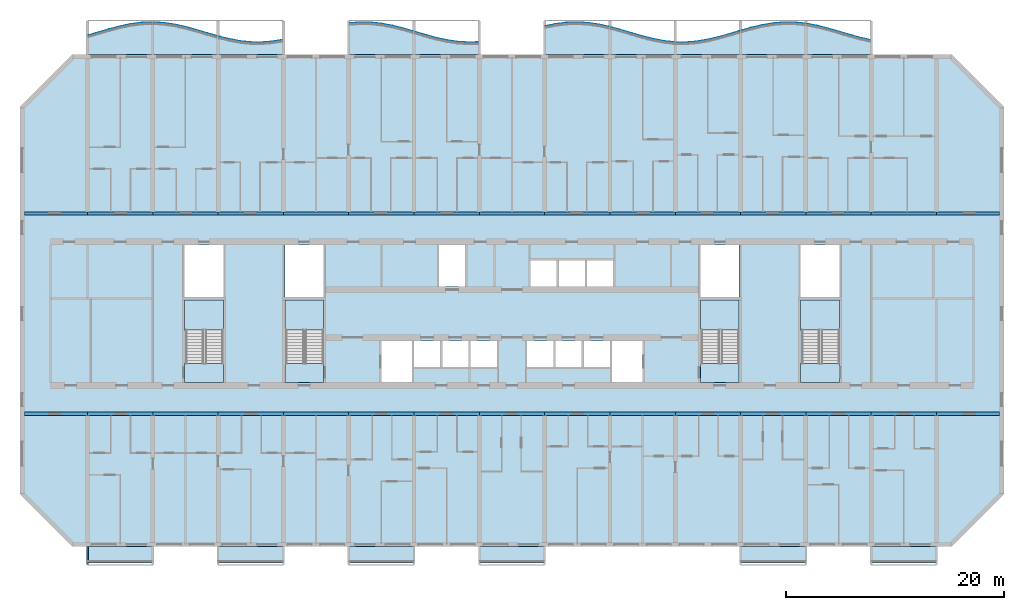
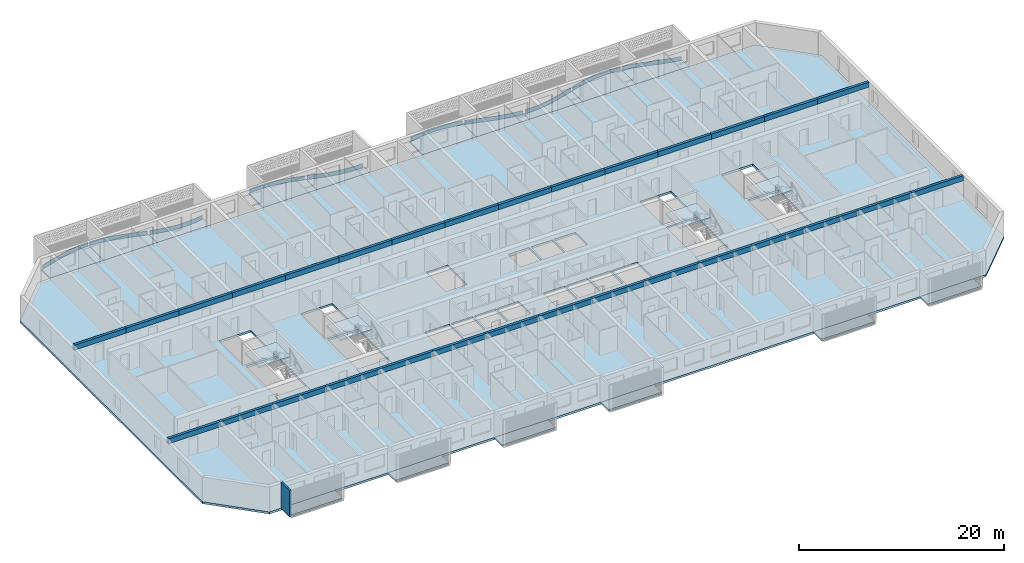
# One storey, part 1 of 39: 30 beams, 25 slabs, 10 plates, 1 wall, 4 elements without a shape of their own.
"""IFC4 building model written with IfcOpenShell, lengths in metres."""

from ifc_helpers import new_model, si_unit, direction, frame, origin, origin_2d, place, context, subcontext, project, spatial, polyline, rectangle, outline, extrude, source, transform, mapped, material, layer, layer_set, material_profile, profile_set, type_object, element, aggregate, save


model = new_model("IFC4")

# Units and contexts
model_context = context("Model", 3, precision=1e-05, world=origin(), true_north=direction((0.0, 1.0)))
body_context = subcontext(model_context, "Body", "Model", "MODEL_VIEW")
ifc_project = project(units=[si_unit("LENGTHUNIT", "METRE"), si_unit("AREAUNIT", "SQUARE_METRE"), si_unit("VOLUMEUNIT", "CUBIC_METRE"), si_unit("PLANEANGLEUNIT", "RADIAN"), si_unit("MASSUNIT", "GRAM", prefix="KILO")], contexts=[model_context])

# Site, building, storey
site_placement = place(None, origin())
site = spatial("IfcSite", under=ifc_project, at=site_placement, CompositionType="ELEMENT")
building_placement = place(site_placement, origin())
building = spatial("IfcBuilding", under=site, at=building_placement, Name="Poui Terraces", CompositionType="ELEMENT")
storey_placement = place(building_placement, frame((0.0, 0.0, 63.0)))
storey = spatial("IfcBuildingStorey", under=building, at=storey_placement, Name="L17", CompositionType="ELEMENT", Elevation=63.0)

# Beams
ifc_material_1 = material(Name="Concrete 80 MPa", Category="concrete")
ifc_material_profile = material_profile(ifc_material_1, rectangle(XDim=0.300048828125, YDim=0.60009765625, at=origin_2d()), Name="RC 300x600")
ifc_profile_set = profile_set([ifc_material_profile], Name="Concrete 80 MPa")
beam_type = type_object("IfcBeamType", Name="COUPLING BEAM 300x600 80MPa", PredefinedType="BEAM", material=ifc_profile_set)
shared_shape_1 = source(origin(), body_context, "Body", "SweptSolid", [
    extrude(rectangle(XDim=0.300048828125, YDim=0.60009765625, at=origin_2d()), origin(), (0.0, 0.0, 1.0), 6.0),
])
for number, where, z_axis, x_axis, name in (
    (1, (12.0, 12.0, 2.64990234375), (1.0, 0.0, 0.0), (0.0, 1.0, 0.0), "COUPLING BEAM LINE B BAY 2"),
    (2, (18.0, 12.0, 2.64990234375), (1.0, 0.0, 0.0), (0.0, 1.0, 0.0), "COUPLING BEAM LINE B BAY 3"),
    (3, (24.0, 12.0, 2.64990234375), (1.0, 0.0, 0.0), (0.0, 1.0, 0.0), "COUPLING BEAM LINE B BAY 4"),
    (4, (30.0, 12.0, 2.64990234375), (1.0, 0.0, 0.0), (0.0, 1.0, 0.0), "COUPLING BEAM LINE B BAY 5"),
    (5, (36.0, 12.0, 2.64990234375), (1.0, 0.0, 0.0), (0.0, 1.0, 0.0), "COUPLING BEAM LINE B BAY 6"),
    (6, (42.0, 12.0, 2.64990234375), (1.0, 0.0, 0.0), (0.0, 1.0, 0.0), "COUPLING BEAM LINE B BAY 7"),
    (7, (48.0, 12.0, 2.64990234375), (1.0, 0.0, 0.0), (0.0, 1.0, 0.0), "COUPLING BEAM LINE B BAY 8"),
    (8, (54.0, 12.0, 2.64990234375), (1.0, 0.0, 0.0), (0.0, 1.0, 0.0), "COUPLING BEAM LINE B BAY 9"),
    (9, (60.0, 12.0, 2.64990234375), (1.0, 0.0, 0.0), (0.0, 1.0, 0.0), "COUPLING BEAM LINE B BAY 10"),
    (10, (66.0, 12.0, 2.64990234375), (1.0, 0.0, 0.0), (0.0, 1.0, 0.0), "COUPLING BEAM LINE B BAY 11"),
    (11, (72.0, 12.0, 2.64990234375), (1.0, 0.0, 0.0), (0.0, 1.0, 0.0), "COUPLING BEAM LINE B BAY 12"),
    (12, (78.0, 12.0, 2.64990234375), (1.0, 0.0, 0.0), (0.0, 1.0, 0.0), "COUPLING BEAM LINE B BAY 13"),
    (13, (84.0, 12.0, 2.64990234375), (1.0, 0.0, 0.0), (0.0, 1.0, 0.0), "COUPLING BEAM LINE B BAY 14"),
    (14, (12.0, 30.39990234375, 2.64990234375), (1.0, 0.0, 0.0), (0.0, 1.0, 0.0), "COUPLING BEAM LINE E BAY 2"),
    (15, (18.0, 30.39990234375, 2.64990234375), (1.0, 0.0, 0.0), (0.0, 1.0, 0.0), "COUPLING BEAM LINE E BAY 3"),
    (16, (24.0, 30.39990234375, 2.64990234375), (1.0, 0.0, 0.0), (0.0, 1.0, 0.0), "COUPLING BEAM LINE E BAY 4"),
    (17, (30.0, 30.39990234375, 2.64990234375), (1.0, 0.0, 0.0), (0.0, 1.0, 0.0), "COUPLING BEAM LINE E BAY 5"),
    (18, (36.0, 30.39990234375, 2.64990234375), (1.0, 0.0, 0.0), (0.0, 1.0, 0.0), "COUPLING BEAM LINE E BAY 6"),
    (19, (42.0, 30.39990234375, 2.64990234375), (1.0, 0.0, 0.0), (0.0, 1.0, 0.0), "COUPLING BEAM LINE E BAY 7"),
    (20, (48.0, 30.39990234375, 2.64990234375), (1.0, 0.0, 0.0), (0.0, 1.0, 0.0), "COUPLING BEAM LINE E BAY 8"),
    (21, (54.0, 30.39990234375, 2.64990234375), (1.0, 0.0, 0.0), (0.0, 1.0, 0.0), "COUPLING BEAM LINE E BAY 9"),
    (22, (60.0, 30.39990234375, 2.64990234375), (1.0, 0.0, 0.0), (0.0, 1.0, 0.0), "COUPLING BEAM LINE E BAY 10"),
    (23, (66.0, 30.39990234375, 2.64990234375), (1.0, 0.0, 0.0), (0.0, 1.0, 0.0), "COUPLING BEAM LINE E BAY 11"),
    (24, (72.0, 30.39990234375, 2.64990234375), (1.0, 0.0, 0.0), (0.0, 1.0, 0.0), "COUPLING BEAM LINE E BAY 12"),
    (25, (78.0, 30.39990234375, 2.64990234375), (1.0, 0.0, 0.0), (0.0, 1.0, 0.0), "COUPLING BEAM LINE E BAY 13"),
    (26, (84.0, 30.39990234375, 2.64990234375), (1.0, 0.0, 0.0), (0.0, 1.0, 0.0), "COUPLING BEAM LINE E BAY 14"),
):
    element("IfcBeam", number, at=place(storey_placement, frame(where, z_axis=z_axis, x_axis=x_axis)), inside=storey, type_object=beam_type, Name=name, PredefinedType="BEAM", context=body_context, shape_type="MappedRepresentation", body=[
        mapped(shared_shape_1, transform((0.0, 0.0, 0.0))),
    ])
shared_shape_2 = source(origin(), body_context, "Body", "SweptSolid", [
    extrude(rectangle(XDim=0.300048828125, YDim=0.60009765625, at=origin_2d()), origin(), (0.0, 0.0, 1.0), 5.800048828125),
])
for number, where, z_axis, x_axis, name in (
    (27, (6.199951171875, 12.0, 2.64990234375), (1.0, 0.0, 0.0), (0.0, 1.0, 0.0), "COUPLING BEAM LINE B BAY 1"),
    (28, (90.0, 12.0, 2.64990234375), (1.0, 0.0, 0.0), (0.0, 1.0, 0.0), "COUPLING BEAM LINE B BAY 15"),
    (29, (6.199951171875, 30.39990234375, 2.64990234375), (1.0, 0.0, 0.0), (0.0, 1.0, 0.0), "COUPLING BEAM LINE E BAY 1"),
    (30, (90.0, 30.39990234375, 2.64990234375), (1.0, 0.0, 0.0), (0.0, 1.0, 0.0), "COUPLING BEAM LINE E BAY 15"),
):
    element("IfcBeam", number, at=place(storey_placement, frame(where, z_axis=z_axis, x_axis=x_axis)), inside=storey, type_object=beam_type, Name=name, PredefinedType="BEAM", context=body_context, shape_type="MappedRepresentation", body=[
        mapped(shared_shape_2, transform((0.0, 0.0, 0.0))),
    ])

# Slabs
ifc_material_2 = material(Name="Precast concrete 40 MPa", Category="concrete")
ifc_layer_1 = layer(ifc_material_2, 0.199951171875)
ifc_layer_set_1 = layer_set([ifc_layer_1], Name="Precast concrete 40 MPa")
slab_type_1 = type_object("IfcSlabType", Name="BALCONY SLAB 200", PredefinedType="FLOOR", material=ifc_layer_set_1)
slab_1_placement = place(storey_placement, frame((0.0, 0.0, -0.2001953125)))
element("IfcSlab", 31, at=slab_1_placement, inside=storey, type_object=slab_type_1, Name="BALCONY SLAB", PredefinedType="FLOOR", context=body_context, shape_type="SweptSolid", body=[
    extrude(outline(polyline([(12.0, 45.0), (18.0, 45.0), (18.0, 47.94921875), (17.0, 47.91357421875), (16.0, 47.786376953125), (15.0, 47.580810546875), (14.0, 47.31787109375), (13.0, 47.02490234375), (12.0, 46.732177734375), (12.0, 45.0)])), origin(), (0.0, 0.0, 1.0), 0.2001953125),
])
slab_2_placement = place(storey_placement, frame((0.0, 0.0, -0.2001953125)))
element("IfcSlab", 32, at=slab_2_placement, inside=storey, type_object=slab_type_1, Name="BALCONY SLAB", PredefinedType="FLOOR", context=body_context, shape_type="SweptSolid", body=[
    extrude(outline(polyline([(18.0, 45.0), (24.0, 45.0), (24.0, 46.662353515625), (23.0, 46.95068359375), (22.0, 47.246337890625), (21.0, 47.519287109375), (20.0, 47.741455078125), (19.0, 47.889892578125), (18.0, 47.94921875), (18.0, 45.0)])), origin(), (0.0, 0.0, 1.0), 0.2001953125),
])
slab_3_placement = place(storey_placement, frame((0.0, 0.0, -0.2001953125)))
element("IfcSlab", 33, at=slab_3_placement, inside=storey, type_object=slab_type_1, Name="BALCONY SLAB", PredefinedType="FLOOR", context=body_context, shape_type="SweptSolid", body=[
    extrude(outline(polyline([(24.0, 45.0), (30.0, 45.0), (30.0, 46.35791015625), (29.0, 46.189208984375), (28.0, 46.106689453125), (27.0, 46.11865234375), (26.0, 46.223876953125), (25.0, 46.41162109375), (24.0, 46.662353515625), (24.0, 45.0)])), origin(), (0.0, 0.0, 1.0), 0.2001953125),
])
slab_4_placement = place(storey_placement, frame((0.0, 0.0, -0.2001953125)))
element("IfcSlab", 34, at=slab_4_placement, inside=storey, type_object=slab_type_1, Name="BALCONY SLAB", PredefinedType="FLOOR", context=body_context, shape_type="SweptSolid", body=[
    extrude(outline(polyline([(36.0, 45.0), (42.0, 45.0), (42.0, 47.099365234375), (41.0, 47.3876953125), (40.0, 47.638427734375), (39.0, 47.826171875), (38.0, 47.931396484375), (37.0, 47.943359375), (36.0, 47.860595703125), (36.0, 45.0)])), origin(), (0.0, 0.0, 1.0), 0.2001953125),
])
slab_5_placement = place(storey_placement, frame((0.0, 0.0, -0.2001953125)))
element("IfcSlab", 35, at=slab_5_placement, inside=storey, type_object=slab_type_1, Name="BALCONY SLAB", PredefinedType="FLOOR", context=body_context, shape_type="SweptSolid", body=[
    extrude(outline(polyline([(42.0, 45.0), (48.0, 45.0), (48.0, 46.136474609375), (47.0, 46.100830078125), (46.0, 46.16015625), (45.0, 46.30859375), (44.0, 46.530517578125), (43.0, 46.8037109375), (42.0, 47.099365234375), (42.0, 45.0)])), origin(), (0.0, 0.0, 1.0), 0.2001953125),
])
slab_6_placement = place(storey_placement, frame((0.0, 0.0, -0.2001953125)))
element("IfcSlab", 36, at=slab_6_placement, inside=storey, type_object=slab_type_1, Name="BALCONY SLAB", PredefinedType="FLOOR", context=body_context, shape_type="SweptSolid", body=[
    extrude(outline(polyline([(54.0, 45.0), (60.0, 45.0), (60.0, 47.519287109375), (59.0, 47.741455078125), (58.0, 47.889892578125), (57.0, 47.94921875), (56.0, 47.91357421875), (55.0, 47.786376953125), (54.0, 47.580810546875), (54.0, 45.0)])), origin(), (0.0, 0.0, 1.0), 0.2001953125),
])
slab_7_placement = place(storey_placement, frame((0.0, 0.0, -0.2001953125)))
element("IfcSlab", 37, at=slab_7_placement, inside=storey, type_object=slab_type_1, Name="BALCONY SLAB", PredefinedType="FLOOR", context=body_context, shape_type="SweptSolid", body=[
    extrude(outline(polyline([(60.0, 45.0), (66.0, 45.0), (66.0, 46.11865234375), (65.0, 46.223876953125), (64.0, 46.41162109375), (63.0, 46.662353515625), (62.0, 46.95068359375), (61.0, 47.246337890625), (60.0, 47.519287109375), (60.0, 45.0)])), origin(), (0.0, 0.0, 1.0), 0.2001953125),
])
slab_8_placement = place(storey_placement, frame((0.0, 0.0, -0.2001953125)))
element("IfcSlab", 38, at=slab_8_placement, inside=storey, type_object=slab_type_1, Name="BALCONY SLAB", PredefinedType="FLOOR", context=body_context, shape_type="SweptSolid", body=[
    extrude(outline(polyline([(66.0, 45.0), (72.0, 45.0), (72.0, 47.17333984375), (71.0, 46.876708984375), (70.0, 46.59521484375), (69.0, 46.35791015625), (68.0, 46.189208984375), (67.0, 46.106689453125), (66.0, 46.11865234375), (66.0, 45.0)])), origin(), (0.0, 0.0, 1.0), 0.2001953125),
])
slab_9_placement = place(storey_placement, frame((0.0, 0.0, -0.2001953125)))
element("IfcSlab", 39, at=slab_9_placement, inside=storey, type_object=slab_type_1, Name="BALCONY SLAB", PredefinedType="FLOOR", context=body_context, shape_type="SweptSolid", body=[
    extrude(outline(polyline([(72.0, 45.0), (78.0, 45.0), (78.0, 47.826171875), (77.0, 47.931396484375), (76.0, 47.943359375), (75.0, 47.860595703125), (74.0, 47.692138671875), (73.0, 47.454833984375), (72.0, 47.17333984375), (72.0, 45.0)])), origin(), (0.0, 0.0, 1.0), 0.2001953125),
])
slab_10_placement = place(storey_placement, frame((0.0, 0.0, -0.2001953125)))
element("IfcSlab", 40, at=slab_10_placement, inside=storey, type_object=slab_type_1, Name="BALCONY SLAB", PredefinedType="FLOOR", context=body_context, shape_type="SweptSolid", body=[
    extrude(outline(polyline([(78.0, 45.0), (84.0, 45.0), (84.0, 46.30859375), (83.0, 46.530517578125), (82.0, 46.8037109375), (81.0, 47.099365234375), (80.0, 47.3876953125), (79.0, 47.638427734375), (78.0, 47.826171875), (78.0, 45.0)])), origin(), (0.0, 0.0, 1.0), 0.2001953125),
])

# Stair, slabs
stair_type = type_object("IfcStairType", Name="EXIT STAIR 1650 80 MPA", PredefinedType="HALF_TURN_STAIR", material=ifc_material_1)
stair_1_placement = place(storey_placement, origin())
stair_1 = element("IfcStair", 41, at=stair_1_placement, inside=storey, type_object=stair_type, Name="L17 CORE STAIR EAST", PredefinedType="HALF_TURN_STAIR")
ifc_layer_2 = layer(ifc_material_1, 0.199951171875)
ifc_layer_set_2 = layer_set([ifc_layer_2], Name="Concrete 80 MPa")
slab_type_2 = type_object("IfcSlabType", Name="STAIR LANDING 200 80 MPA", PredefinedType="LANDING", material=ifc_layer_set_2)
slab_11_placement = place(storey_placement, frame((0.0, 0.0, 1.449951171875)))
slab_11 = element("IfcSlab", 42, at=slab_11_placement, type_object=slab_type_2, Name="ST-CE landing 1", PredefinedType="LANDING", context=body_context, shape_type="SweptSolid", body=[
    extrude(outline(polyline([(68.324951171875, 19.679931640625), (71.875, 19.679931640625), (71.875, 22.47509765625), (68.324951171875, 22.47509765625), (68.324951171875, 19.679931640625)])), origin(), (0.0, 0.0, 1.0), 0.199951171875),
])
slab_12_placement = place(storey_placement, frame((0.0, 0.0, -0.2001953125)))
slab_12 = element("IfcSlab", 43, at=slab_12_placement, type_object=slab_type_2, Name="ST-CE landing 2", PredefinedType="LANDING", context=body_context, shape_type="SweptSolid", body=[
    extrude(outline(polyline([(68.324951171875, 14.89990234375), (71.875, 14.89990234375), (71.875, 16.60009765625), (68.324951171875, 16.60009765625), (68.324951171875, 14.89990234375)])), origin(), (0.0, 0.0, 1.0), 0.2001953125),
])
aggregate(stair_1, [slab_11, slab_12])

stair_2_placement = place(storey_placement, origin())
stair_2 = element("IfcStair", 44, at=stair_2_placement, inside=storey, type_object=stair_type, Name="L17 CORE STAIR WEST", PredefinedType="HALF_TURN_STAIR")
slab_13_placement = place(storey_placement, frame((0.0, 0.0, 1.449951171875)))
slab_13 = element("IfcSlab", 45, at=slab_13_placement, type_object=slab_type_2, Name="ST-CW landing 1", PredefinedType="LANDING", context=body_context, shape_type="SweptSolid", body=[
    extrude(outline(polyline([(30.125, 19.679931640625), (33.675048828125, 19.679931640625), (33.675048828125, 22.47509765625), (30.125, 22.47509765625), (30.125, 19.679931640625)])), origin(), (0.0, 0.0, 1.0), 0.199951171875),
])
slab_14_placement = place(storey_placement, frame((0.0, 0.0, -0.2001953125)))
slab_14 = element("IfcSlab", 46, at=slab_14_placement, type_object=slab_type_2, Name="ST-CW landing 2", PredefinedType="LANDING", context=body_context, shape_type="SweptSolid", body=[
    extrude(outline(polyline([(30.125, 14.89990234375), (33.675048828125, 14.89990234375), (33.675048828125, 16.60009765625), (30.125, 16.60009765625), (30.125, 14.89990234375)])), origin(), (0.0, 0.0, 1.0), 0.2001953125),
])
aggregate(stair_2, [slab_13, slab_14])

stair_3_placement = place(storey_placement, origin())
stair_3 = element("IfcStair", 47, at=stair_3_placement, inside=storey, type_object=stair_type, Name="L17 TIP STAIR EAST", PredefinedType="HALF_TURN_STAIR")
slab_15_placement = place(storey_placement, frame((0.0, 0.0, 1.449951171875)))
slab_15 = element("IfcSlab", 48, at=slab_15_placement, type_object=slab_type_2, Name="ST-E landing 1", PredefinedType="LANDING", context=body_context, shape_type="SweptSolid", body=[
    extrude(outline(polyline([(77.52490234375, 19.679931640625), (81.074951171875, 19.679931640625), (81.074951171875, 22.47509765625), (77.52490234375, 22.47509765625), (77.52490234375, 19.679931640625)])), origin(), (0.0, 0.0, 1.0), 0.199951171875),
])
slab_16_placement = place(storey_placement, frame((0.0, 0.0, -0.2001953125)))
slab_16 = element("IfcSlab", 49, at=slab_16_placement, type_object=slab_type_2, Name="ST-E landing 2", PredefinedType="LANDING", context=body_context, shape_type="SweptSolid", body=[
    extrude(outline(polyline([(77.52490234375, 14.89990234375), (81.074951171875, 14.89990234375), (81.074951171875, 16.60009765625), (77.52490234375, 16.60009765625), (77.52490234375, 14.89990234375)])), origin(), (0.0, 0.0, 1.0), 0.2001953125),
])
aggregate(stair_3, [slab_15, slab_16])

stair_4_placement = place(storey_placement, origin())
stair_4 = element("IfcStair", 50, at=stair_4_placement, inside=storey, type_object=stair_type, Name="L17 TIP STAIR WEST", PredefinedType="HALF_TURN_STAIR")
slab_17_placement = place(storey_placement, frame((0.0, 0.0, 1.449951171875)))
slab_17 = element("IfcSlab", 51, at=slab_17_placement, type_object=slab_type_2, Name="ST-W landing 1", PredefinedType="LANDING", context=body_context, shape_type="SweptSolid", body=[
    extrude(outline(polyline([(20.925048828125, 19.679931640625), (24.47509765625, 19.679931640625), (24.47509765625, 22.47509765625), (20.925048828125, 22.47509765625), (20.925048828125, 19.679931640625)])), origin(), (0.0, 0.0, 1.0), 0.199951171875),
])
slab_18_placement = place(storey_placement, frame((0.0, 0.0, -0.2001953125)))
slab_18 = element("IfcSlab", 52, at=slab_18_placement, type_object=slab_type_2, Name="ST-W landing 2", PredefinedType="LANDING", context=body_context, shape_type="SweptSolid", body=[
    extrude(outline(polyline([(20.925048828125, 14.89990234375), (24.47509765625, 14.89990234375), (24.47509765625, 16.60009765625), (20.925048828125, 16.60009765625), (20.925048828125, 14.89990234375)])), origin(), (0.0, 0.0, 1.0), 0.2001953125),
])
aggregate(stair_4, [slab_17, slab_18])

# Plates
ifc_layer_3 = layer(ifc_material_2, 0.080078125)
ifc_layer_set_3 = layer_set([ifc_layer_3], Name="Precast concrete 40 MPa")
plate_type = type_object("IfcPlateType", Name="SUNSHADE UPSTAND 80", PredefinedType="SHEET", material=ifc_layer_set_3)
plate_1_placement = place(storey_placement, origin())
element("IfcPlate", 53, at=plate_1_placement, inside=storey, type_object=plate_type, Name="SUNSHADE UPSTAND", PredefinedType="SHEET", context=body_context, shape_type="SweptSolid", body=[
    extrude(outline(polyline([(12.98876953125, 47.018310546875), (12.11376953125, 46.760986328125), (12.13623046875, 46.684326171875), (13.01123046875, 46.941650390625), (14.0107421875, 47.234375), (15.009033203125, 47.49658203125), (16.006591796875, 47.701904296875), (17.00341796875, 47.82861328125), (17.876708984375, 47.864990234375), (17.873291015625, 47.944580078125), (17.83203125, 47.943115234375), (16.99658203125, 47.908447265625), (15.993408203125, 47.78076171875), (14.990966796875, 47.57470703125), (13.9892578125, 47.3115234375), (12.98876953125, 47.018310546875)])), origin(), (0.0, 0.0, 1.0), 0.449951171875),
])
plate_2_placement = place(storey_placement, origin())
element("IfcPlate", 54, at=plate_2_placement, inside=storey, type_object=plate_type, Name="SUNSHADE UPSTAND", PredefinedType="SHEET", context=body_context, shape_type="SweptSolid", body=[
    extrude(outline(polyline([(19.004150390625, 47.884765625), (18.168212890625, 47.939208984375), (18.127685546875, 47.941650390625), (18.122314453125, 47.862060546875), (18.995849609375, 47.80517578125), (19.99267578125, 47.6572265625), (20.990478515625, 47.435546875), (21.989013671875, 47.162841796875), (22.98876953125, 46.8671875), (23.864013671875, 46.613525390625), (23.885986328125, 46.6904296875), (23.01123046875, 46.944091796875), (22.010986328125, 47.23974609375), (21.009521484375, 47.51318359375), (20.00732421875, 47.73583984375), (19.004150390625, 47.884765625)])), origin(), (0.0, 0.0, 1.0), 0.449951171875),
])
plate_3_placement = place(storey_placement, origin())
element("IfcPlate", 55, at=plate_3_placement, inside=storey, type_object=plate_type, Name="SUNSHADE UPSTAND", PredefinedType="SHEET", context=body_context, shape_type="SweptSolid", body=[
    extrude(outline(polyline([(25.008544921875, 46.40576171875), (24.134521484375, 46.622314453125), (24.115478515625, 46.544677734375), (24.991455078125, 46.327392578125), (25.994140625, 46.139404296875), (26.997802734375, 46.03369140625), (28.00146484375, 46.021728515625), (29.0048828125, 46.1044921875), (29.881591796875, 46.248291015625), (29.868408203125, 46.3271484375), (28.9951171875, 46.18408203125), (27.99853515625, 46.101806640625), (27.002197265625, 46.11376953125), (26.005859375, 46.218505859375), (25.008544921875, 46.40576171875)])), origin(), (0.0, 0.0, 1.0), 0.449951171875),
])
plate_4_placement = place(storey_placement, origin())
element("IfcPlate", 56, at=plate_4_placement, inside=storey, type_object=plate_type, Name="SUNSHADE UPSTAND", PredefinedType="SHEET", context=body_context, shape_type="SweptSolid", body=[
    extrude(outline(polyline([(36.998779296875, 47.938232421875), (36.140380859375, 47.872314453125), (36.121826171875, 47.870849609375), (36.128173828125, 47.791015625), (37.001220703125, 47.858154296875), (37.997802734375, 47.84619140625), (38.994140625, 47.741455078125), (39.991455078125, 47.55419921875), (40.989501953125, 47.303955078125), (41.864013671875, 47.052978515625), (41.885986328125, 47.1298828125), (41.010498046875, 47.381103515625), (40.008544921875, 47.632568359375), (39.005859375, 47.82080078125), (38.002197265625, 47.92626953125), (36.998779296875, 47.938232421875)])), origin(), (0.0, 0.0, 1.0), 0.449951171875),
])
plate_5_placement = place(storey_placement, origin())
element("IfcPlate", 57, at=plate_5_placement, inside=storey, type_object=plate_type, Name="SUNSHADE UPSTAND", PredefinedType="SHEET", context=body_context, shape_type="SweptSolid", body=[
    extrude(outline(polyline([(43.010986328125, 46.797119140625), (42.13623046875, 47.0556640625), (42.11376953125, 46.97900390625), (42.989013671875, 46.72021484375), (43.990478515625, 46.44677734375), (44.99267578125, 46.22412109375), (45.995849609375, 46.0751953125), (46.99951171875, 46.015625), (47.876220703125, 46.0419921875), (47.873779296875, 46.121826171875), (47.00048828125, 46.095703125), (46.004150390625, 46.15478515625), (45.00732421875, 46.302734375), (44.009521484375, 46.5244140625), (43.010986328125, 46.797119140625)])), origin(), (0.0, 0.0, 1.0), 0.449951171875),
])
plate_6_placement = place(storey_placement, origin())
element("IfcPlate", 58, at=plate_6_placement, inside=storey, type_object=plate_type, Name="SUNSHADE UPSTAND", PredefinedType="SHEET", context=body_context, shape_type="SweptSolid", body=[
    extrude(outline(polyline([(54.993408203125, 47.78076171875), (54.1171875, 47.604248046875), (54.1328125, 47.52587890625), (55.006591796875, 47.701904296875), (56.003173828125, 47.82861328125), (56.99951171875, 47.8642578125), (57.995849609375, 47.80517578125), (58.992919921875, 47.656982421875), (59.866455078125, 47.46630859375), (59.883544921875, 47.54443359375), (59.007080078125, 47.73583984375), (58.004150390625, 47.884765625), (57.00048828125, 47.9443359375), (55.996826171875, 47.908447265625), (54.993408203125, 47.78076171875)])), origin(), (0.0, 0.0, 1.0), 0.449951171875),
])
plate_7_placement = place(storey_placement, origin())
element("IfcPlate", 59, at=plate_7_placement, inside=storey, type_object=plate_type, Name="SUNSHADE UPSTAND", PredefinedType="SHEET", context=body_context, shape_type="SweptSolid", body=[
    extrude(outline(polyline([(61.010986328125, 47.23974609375), (60.135498046875, 47.481201171875), (60.114501953125, 47.40380859375), (60.989013671875, 47.162841796875), (61.98876953125, 46.8671875), (62.989501953125, 46.578857421875), (63.991455078125, 46.327392578125), (64.994140625, 46.139404296875), (65.87060546875, 46.0419921875), (65.87939453125, 46.12158203125), (65.005859375, 46.218505859375), (64.008544921875, 46.40576171875), (63.010498046875, 46.656005859375), (62.01123046875, 46.944091796875), (61.010986328125, 47.23974609375)])), origin(), (0.0, 0.0, 1.0), 0.449951171875),
])
plate_8_placement = place(storey_placement, origin())
element("IfcPlate", 60, at=plate_8_placement, inside=storey, type_object=plate_type, Name="SUNSHADE UPSTAND", PredefinedType="SHEET", context=body_context, shape_type="SweptSolid", body=[
    extrude(outline(polyline([(66.99853515625, 46.101806640625), (66.125244140625, 46.10693359375), (66.124755859375, 46.027099609375), (67.00146484375, 46.021728515625), (68.0048828125, 46.1044921875), (69.008056640625, 46.273681640625), (70.010009765625, 46.511474609375), (71.010986328125, 46.793212890625), (71.886474609375, 47.05322265625), (71.863525390625, 47.1298828125), (70.989013671875, 46.8701171875), (69.989990234375, 46.5888671875), (68.991943359375, 46.35205078125), (67.9951171875, 46.18408203125), (66.99853515625, 46.101806640625)])), origin(), (0.0, 0.0, 1.0), 0.449951171875),
])
plate_9_placement = place(storey_placement, origin())
element("IfcPlate", 61, at=plate_9_placement, inside=storey, type_object=plate_type, Name="SUNSHADE UPSTAND", PredefinedType="SHEET", context=body_context, shape_type="SweptSolid", body=[
    extrude(outline(polyline([(72.989990234375, 47.448486328125), (72.1142578125, 47.20361328125), (72.1357421875, 47.12646484375), (73.010009765625, 47.37109375), (74.008056640625, 47.60791015625), (75.0048828125, 47.77587890625), (76.00146484375, 47.858154296875), (76.997802734375, 47.84619140625), (77.87109375, 47.75927734375), (77.87890625, 47.8388671875), (77.871826171875, 47.839599609375), (77.002197265625, 47.92626953125), (75.99853515625, 47.938232421875), (74.9951171875, 47.85546875), (73.991943359375, 47.686279296875), (72.989990234375, 47.448486328125)])), origin(), (0.0, 0.0, 1.0), 0.449951171875),
])
plate_10_placement = place(storey_placement, origin())
element("IfcPlate", 62, at=plate_10_placement, inside=storey, type_object=plate_type, Name="SUNSHADE UPSTAND", PredefinedType="SHEET", context=body_context, shape_type="SweptSolid", body=[
    extrude(outline(polyline([(79.0087890625, 47.632568359375), (78.132568359375, 47.801025390625), (78.117431640625, 47.722412109375), (78.9912109375, 47.55419921875), (79.989501953125, 47.303955078125), (80.98876953125, 47.01611328125), (81.989013671875, 46.72021484375), (82.990234375, 46.44677734375), (83.8662109375, 46.24853515625), (83.8837890625, 46.32666015625), (83.009765625, 46.5244140625), (82.010986328125, 46.797119140625), (81.01123046875, 47.0927734375), (80.010498046875, 47.381103515625), (79.0087890625, 47.632568359375)])), origin(), (0.0, 0.0, 1.0), 0.449951171875),
])

# Slabs
ifc_material_3 = material(Name="Concrete 40 MPa", Category="concrete")
ifc_layer_4 = layer(ifc_material_3, 0.25)
ifc_layer_set_4 = layer_set([ifc_layer_4], Name="Concrete 40 MPa")
slab_type_3 = type_object("IfcSlabType", Name="FLOOR SLAB 250", PredefinedType="FLOOR", material=ifc_layer_set_4)
shared_shape_3 = source(origin(), body_context, "Body", "SweptSolid", [
    extrude(outline(polyline([(0.0, 0.0), (4.800048828125, -4.800048828125), (85.599853515625, -4.800048828125), (90.39990234375, 0.0), (90.39990234375, 35.599853515625), (85.599853515625, 40.39990234375), (4.800048828125, 40.39990234375), (0.0, 35.599853515625), (0.0, 0.0)]), holes=[polyline([(33.199951171875, 10.2998046875), (33.199951171875, 14.099853515625), (36.0, 14.099853515625), (36.0, 10.2998046875), (33.199951171875, 10.2998046875)]), polyline([(36.199951171875, 11.699951171875), (36.199951171875, 14.099853515625), (38.599853515625, 14.099853515625), (38.599853515625, 11.699951171875), (36.199951171875, 11.699951171875)]), polyline([(38.800048828125, 11.699951171875), (38.800048828125, 14.099853515625), (41.199951171875, 14.099853515625), (41.199951171875, 11.699951171875), (38.800048828125, 11.699951171875)]), polyline([(41.39990234375, 14.099853515625), (43.800048828125, 14.099853515625), (43.800048828125, 11.699951171875), (41.39990234375, 11.699951171875), (41.39990234375, 14.099853515625)]), polyline([(46.599853515625, 14.099853515625), (49.0, 14.099853515625), (49.0, 11.699951171875), (46.599853515625, 11.699951171875), (46.599853515625, 14.099853515625)]), polyline([(15.224853515625, 17.849853515625), (18.675048828125, 17.849853515625), (18.675048828125, 12.0), (18.675048828125, 10.2998046875), (15.125, 10.2998046875), (15.125, 12.0), (15.224853515625, 12.0), (15.224853515625, 17.849853515625)]), polyline([(24.425048828125, 17.849853515625), (27.875, 17.849853515625), (27.875, 12.0), (27.875, 10.2998046875), (24.324951171875, 10.2998046875), (24.324951171875, 12.0), (24.425048828125, 12.0), (24.425048828125, 17.849853515625)]), polyline([(15.125, 18.125), (15.125, 22.89990234375), (18.675048828125, 22.89990234375), (18.675048828125, 18.125), (15.125, 18.125)]), polyline([(24.324951171875, 22.89990234375), (27.875, 22.89990234375), (27.875, 18.125), (24.324951171875, 18.125), (24.324951171875, 22.89990234375)]), polyline([(38.5, 22.89990234375), (40.89990234375, 22.89990234375), (40.89990234375, 19.099853515625), (38.5, 19.099853515625), (38.5, 22.89990234375)]), polyline([(54.39990234375, 10.2998046875), (54.39990234375, 14.099853515625), (57.199951171875, 14.099853515625), (57.199951171875, 10.2998046875), (54.39990234375, 10.2998046875)]), polyline([(49.199951171875, 11.699951171875), (49.199951171875, 14.099853515625), (51.599853515625, 14.099853515625), (51.599853515625, 11.699951171875), (49.199951171875, 11.699951171875)]), polyline([(51.800048828125, 11.699951171875), (51.800048828125, 14.099853515625), (54.199951171875, 14.099853515625), (54.199951171875, 11.699951171875), (51.800048828125, 11.699951171875)]), polyline([(66.074951171875, 17.849853515625), (66.074951171875, 12.0), (66.074951171875, 10.2998046875), (62.52490234375, 10.2998046875), (62.52490234375, 12.0), (62.625, 12.0), (62.625, 17.849853515625), (66.074951171875, 17.849853515625)]), polyline([(75.27490234375, 17.849853515625), (75.27490234375, 12.0), (75.27490234375, 10.2998046875), (71.724853515625, 10.2998046875), (71.724853515625, 12.0), (71.824951171875, 12.0), (71.824951171875, 17.849853515625), (75.27490234375, 17.849853515625)]), polyline([(46.89990234375, 19.099853515625), (46.89990234375, 21.5), (49.300048828125, 21.5), (49.300048828125, 19.099853515625), (46.89990234375, 19.099853515625)]), polyline([(49.5, 19.099853515625), (49.5, 21.5), (51.89990234375, 21.5), (51.89990234375, 19.099853515625), (49.5, 19.099853515625)]), polyline([(52.099853515625, 19.099853515625), (52.099853515625, 21.5), (54.5, 21.5), (54.5, 19.099853515625), (52.099853515625, 19.099853515625)]), polyline([(62.52490234375, 22.89990234375), (66.074951171875, 22.89990234375), (66.074951171875, 18.125), (62.52490234375, 18.125), (62.52490234375, 22.89990234375)]), polyline([(71.724853515625, 22.89990234375), (75.27490234375, 22.89990234375), (75.27490234375, 18.125), (71.724853515625, 18.125), (71.724853515625, 22.89990234375)])]), origin(), (0.0, 0.0, 1.0), 0.25),
])
slab_19_placement = place(storey_placement, frame((5.800048828125, 4.60009765625, -0.25)))
element("IfcSlab", 63, at=slab_19_placement, inside=storey, type_object=slab_type_3, Name="FLOOR SLAB", PredefinedType="FLOOR", context=body_context, shape_type="MappedRepresentation", body=[
    mapped(shared_shape_3, transform((0.0, 0.0, 0.0))),
])
ifc_layer_5 = layer(ifc_material_2, 0.199951171875)
ifc_layer_set_5 = layer_set([ifc_layer_5], Name="Precast concrete 40 MPa")
slab_type_4 = type_object("IfcSlabType", Name="REAR BALCONY SLAB 200", PredefinedType="FLOOR", material=ifc_layer_set_5)
shared_shape_4 = source(origin(), body_context, "Body", "SweptSolid", [
    extrude(outline(polyline([(0.0, 0.0), (6.0, 0.0), (6.0, 1.5), (0.0, 1.5), (0.0, 0.0)])), origin(), (0.0, 0.0, 1.0), 0.2001953125),
])
for number, where, name in (
    (64, (12.0, -1.699951171875, -0.2001953125), "REAR BALCONY SLAB"),
    (65, (24.0, -1.699951171875, -0.2001953125), "REAR BALCONY SLAB"),
    (66, (36.0, -1.699951171875, -0.2001953125), "REAR BALCONY SLAB"),
    (67, (48.0, -1.699951171875, -0.2001953125), "REAR BALCONY SLAB"),
    (68, (72.0, -1.699951171875, -0.2001953125), "REAR BALCONY SLAB"),
    (69, (84.0, -1.699951171875, -0.2001953125), "REAR BALCONY SLAB"),
):
    element("IfcSlab", number, at=place(storey_placement, frame(where)), inside=storey, type_object=slab_type_4, Name=name, PredefinedType="FLOOR", context=body_context, shape_type="MappedRepresentation", body=[
        mapped(shared_shape_4, transform((0.0, 0.0, 0.0))),
    ])

# Wall
ifc_layer_6 = layer(ifc_material_2, 0.199951171875)
ifc_layer_set_6 = layer_set([ifc_layer_6], Name="Precast concrete 40 MPa")
wall_type = type_object("IfcWallType", Name="REAR FIN 200", PredefinedType="STANDARD", material=ifc_layer_set_6)
shared_shape_5 = source(origin(), body_context, "Body", "SweptSolid", [
    extrude(outline(polyline([(0.0, 0.0), (0.2001953125, 0.0), (0.2001953125, 1.650146484375), (0.0, 1.650146484375), (0.0, 0.0)])), origin(), (0.0, 0.0, 1.0), 3.10009765625),
])
wall_placement = place(storey_placement, frame((11.89990234375, -1.85009765625, 0.0)))
element("IfcWall", 70, at=wall_placement, inside=storey, type_object=wall_type, Name="REAR FIN", PredefinedType="STANDARD", context=body_context, shape_type="MappedRepresentation", body=[
    mapped(shared_shape_5, transform((0.0, 0.0, 0.0))),
])

save(model, "model.ifc")
